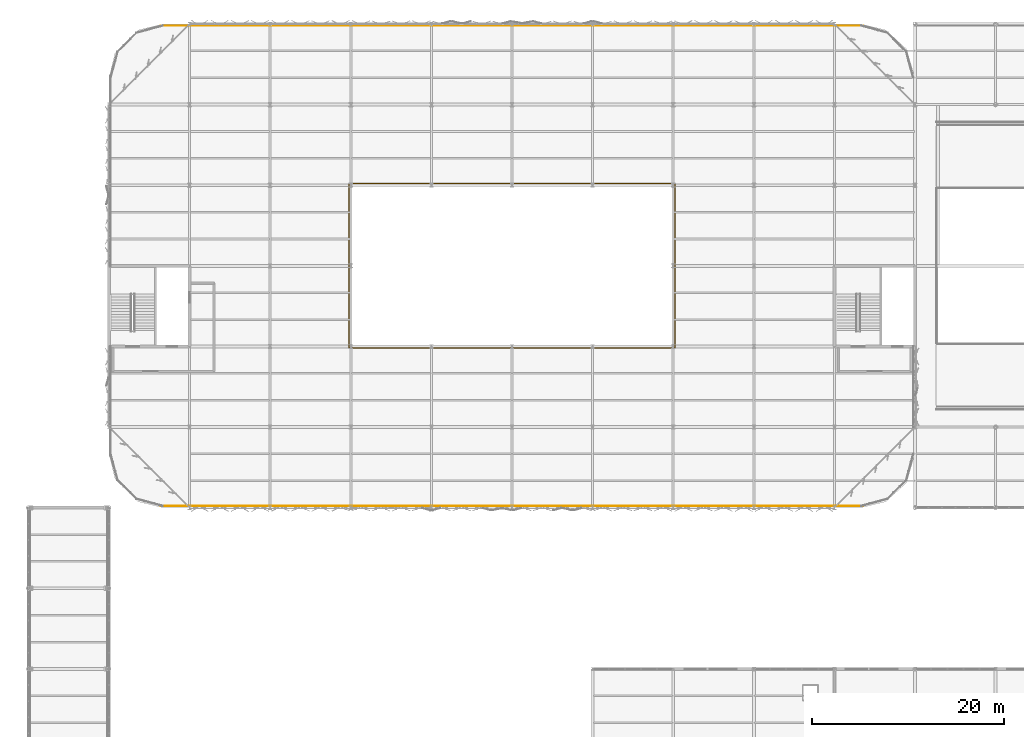
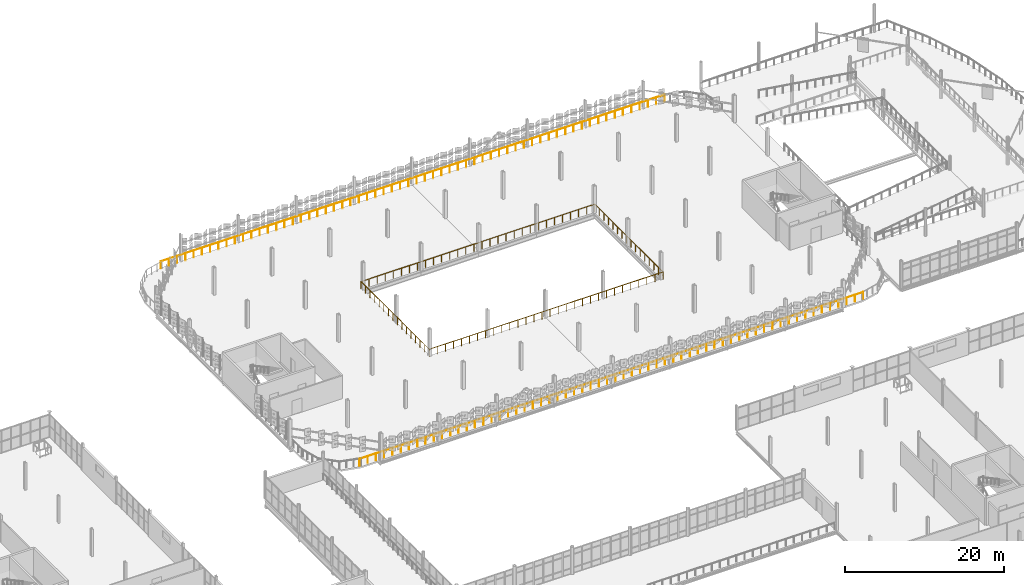
# One storey, part 159 of 163: 3 railings.
"""IFC4 building model written with IfcOpenShell, lengths in metres."""

from ifc_helpers import new_model, si_unit, direction, frame, origin, origin_2d, place, context, subcontext, project, spatial, circle, extrude, material, type_object, element, save


model = new_model("IFC4")

# Units and contexts
model_context = context("Model", 3, precision=1e-05, world=origin(), true_north=direction((0.0, 1.0)))
body_context = subcontext(model_context, "Body", "Model", "MODEL_VIEW")
ifc_project = project(units=[si_unit("LENGTHUNIT", "METRE"), si_unit("AREAUNIT", "SQUARE_METRE"), si_unit("VOLUMEUNIT", "CUBIC_METRE"), si_unit("PLANEANGLEUNIT", "RADIAN"), si_unit("MASSUNIT", "GRAM", prefix="KILO")], contexts=[model_context])

# Site, building, storey
site_placement = place(None, origin())
site = spatial("IfcSite", under=ifc_project, at=site_placement, CompositionType="ELEMENT")
building_placement = place(site_placement, origin())
building = spatial("IfcBuilding", under=site, at=building_placement, Name="Qalvenar Corner Mobility Hub", CompositionType="ELEMENT")
storey_placement = place(building_placement, frame((0.0, 0.0, 4.800048828125)))
storey = spatial("IfcBuildingStorey", under=building, at=storey_placement, Name="L01", CompositionType="ELEMENT", Elevation=4.800048828125)

# Railings
ifc_material = material(Name="Galvanised Steel Deck Edge Barrier", Category="steel")
railing_type = type_object("IfcRailingType", Name="RL-GUARD-115", PredefinedType="GUARDRAIL", material=ifc_material)
railing_1_placement = place(storey_placement, frame((64.199951171875, 67.3798828125, 0.0)))
element("IfcRailing", 1, at=railing_1_placement, inside=storey, type_object=railing_type, Name="Parking Deck South Barrier L01", PredefinedType="GUARDRAIL", context=body_context, shape_type="SweptSolid", body=[
    extrude(circle(Radius=0.02392578125, at=origin_2d()), frame((0.0, 0.0, 1.1259765625), z_axis=(1.0, 0.0, 0.0), x_axis=(0.0, 1.0, 0.0)), (0.0, 0.0, 1.0), 73.199951171875),
    extrude(circle(Radius=0.02099609375, at=origin_2d()), origin(), (0.0, 0.0, 1.0), 1.101806640625),
    extrude(circle(Radius=0.02099609375, at=origin_2d()), frame((1.199951171875, 0.0, 0.0)), (0.0, 0.0, 1.0), 1.101806640625),
    extrude(circle(Radius=0.02099609375, at=origin_2d()), frame((2.39990234375, 0.0, 0.0)), (0.0, 0.0, 1.0), 1.101806640625),
    extrude(circle(Radius=0.02099609375, at=origin_2d()), frame((3.60009765625, 0.0, 0.0)), (0.0, 0.0, 1.0), 1.101806640625),
    extrude(circle(Radius=0.02099609375, at=origin_2d()), frame((4.800048828125, 0.0, 0.0)), (0.0, 0.0, 1.0), 1.101806640625),
    extrude(circle(Radius=0.02099609375, at=origin_2d()), frame((6.0, 0.0, 0.0)), (0.0, 0.0, 1.0), 1.101806640625),
    extrude(circle(Radius=0.02099609375, at=origin_2d()), frame((7.199951171875, 0.0, 0.0)), (0.0, 0.0, 1.0), 1.101806640625),
    extrude(circle(Radius=0.02099609375, at=origin_2d()), frame((8.39990234375, 0.0, 0.0)), (0.0, 0.0, 1.0), 1.101806640625),
    extrude(circle(Radius=0.02099609375, at=origin_2d()), frame((9.60009765625, 0.0, 0.0)), (0.0, 0.0, 1.0), 1.101806640625),
    extrude(circle(Radius=0.02099609375, at=origin_2d()), frame((10.800048828125, 0.0, 0.0)), (0.0, 0.0, 1.0), 1.101806640625),
    extrude(circle(Radius=0.02099609375, at=origin_2d()), frame((12.0, 0.0, 0.0)), (0.0, 0.0, 1.0), 1.101806640625),
    extrude(circle(Radius=0.02099609375, at=origin_2d()), frame((13.199951171875, 0.0, 0.0)), (0.0, 0.0, 1.0), 1.101806640625),
    extrude(circle(Radius=0.02099609375, at=origin_2d()), frame((14.39990234375, 0.0, 0.0)), (0.0, 0.0, 1.0), 1.101806640625),
    extrude(circle(Radius=0.02099609375, at=origin_2d()), frame((15.60009765625, 0.0, 0.0)), (0.0, 0.0, 1.0), 1.101806640625),
    extrude(circle(Radius=0.02099609375, at=origin_2d()), frame((16.800048828125, 0.0, 0.0)), (0.0, 0.0, 1.0), 1.101806640625),
    extrude(circle(Radius=0.02099609375, at=origin_2d()), frame((18.0, 0.0, 0.0)), (0.0, 0.0, 1.0), 1.101806640625),
    extrude(circle(Radius=0.02099609375, at=origin_2d()), frame((19.199951171875, 0.0, 0.0)), (0.0, 0.0, 1.0), 1.101806640625),
    extrude(circle(Radius=0.02099609375, at=origin_2d()), frame((20.39990234375, 0.0, 0.0)), (0.0, 0.0, 1.0), 1.101806640625),
    extrude(circle(Radius=0.02099609375, at=origin_2d()), frame((21.60009765625, 0.0, 0.0)), (0.0, 0.0, 1.0), 1.101806640625),
    extrude(circle(Radius=0.02099609375, at=origin_2d()), frame((22.800048828125, 0.0, 0.0)), (0.0, 0.0, 1.0), 1.101806640625),
    extrude(circle(Radius=0.02099609375, at=origin_2d()), frame((24.0, 0.0, 0.0)), (0.0, 0.0, 1.0), 1.101806640625),
    extrude(circle(Radius=0.02099609375, at=origin_2d()), frame((25.199951171875, 0.0, 0.0)), (0.0, 0.0, 1.0), 1.101806640625),
    extrude(circle(Radius=0.02099609375, at=origin_2d()), frame((26.39990234375, 0.0, 0.0)), (0.0, 0.0, 1.0), 1.101806640625),
    extrude(circle(Radius=0.02099609375, at=origin_2d()), frame((27.60009765625, 0.0, 0.0)), (0.0, 0.0, 1.0), 1.101806640625),
    extrude(circle(Radius=0.02099609375, at=origin_2d()), frame((28.800048828125, 0.0, 0.0)), (0.0, 0.0, 1.0), 1.101806640625),
    extrude(circle(Radius=0.02099609375, at=origin_2d()), frame((30.0, 0.0, 0.0)), (0.0, 0.0, 1.0), 1.101806640625),
    extrude(circle(Radius=0.02099609375, at=origin_2d()), frame((31.199951171875, 0.0, 0.0)), (0.0, 0.0, 1.0), 1.101806640625),
    extrude(circle(Radius=0.02099609375, at=origin_2d()), frame((32.39990234375, 0.0, 0.0)), (0.0, 0.0, 1.0), 1.101806640625),
    extrude(circle(Radius=0.02099609375, at=origin_2d()), frame((33.60009765625, 0.0, 0.0)), (0.0, 0.0, 1.0), 1.101806640625),
    extrude(circle(Radius=0.02099609375, at=origin_2d()), frame((34.800048828125, 0.0, 0.0)), (0.0, 0.0, 1.0), 1.101806640625),
    extrude(circle(Radius=0.02099609375, at=origin_2d()), frame((36.0, 0.0, 0.0)), (0.0, 0.0, 1.0), 1.101806640625),
    extrude(circle(Radius=0.02099609375, at=origin_2d()), frame((37.199951171875, 0.0, 0.0)), (0.0, 0.0, 1.0), 1.101806640625),
    extrude(circle(Radius=0.02099609375, at=origin_2d()), frame((38.39990234375, 0.0, 0.0)), (0.0, 0.0, 1.0), 1.101806640625),
    extrude(circle(Radius=0.02099609375, at=origin_2d()), frame((39.599853515625, 0.0, 0.0)), (0.0, 0.0, 1.0), 1.101806640625),
    extrude(circle(Radius=0.02099609375, at=origin_2d()), frame((40.800048828125, 0.0, 0.0)), (0.0, 0.0, 1.0), 1.101806640625),
    extrude(circle(Radius=0.02099609375, at=origin_2d()), frame((42.0, 0.0, 0.0)), (0.0, 0.0, 1.0), 1.101806640625),
    extrude(circle(Radius=0.02099609375, at=origin_2d()), frame((43.199951171875, 0.0, 0.0)), (0.0, 0.0, 1.0), 1.101806640625),
    extrude(circle(Radius=0.02099609375, at=origin_2d()), frame((44.39990234375, 0.0, 0.0)), (0.0, 0.0, 1.0), 1.101806640625),
    extrude(circle(Radius=0.02099609375, at=origin_2d()), frame((45.599853515625, 0.0, 0.0)), (0.0, 0.0, 1.0), 1.101806640625),
    extrude(circle(Radius=0.02099609375, at=origin_2d()), frame((46.800048828125, 0.0, 0.0)), (0.0, 0.0, 1.0), 1.101806640625),
    extrude(circle(Radius=0.02099609375, at=origin_2d()), frame((48.0, 0.0, 0.0)), (0.0, 0.0, 1.0), 1.101806640625),
    extrude(circle(Radius=0.02099609375, at=origin_2d()), frame((49.199951171875, 0.0, 0.0)), (0.0, 0.0, 1.0), 1.101806640625),
    extrude(circle(Radius=0.02099609375, at=origin_2d()), frame((50.39990234375, 0.0, 0.0)), (0.0, 0.0, 1.0), 1.101806640625),
    extrude(circle(Radius=0.02099609375, at=origin_2d()), frame((51.599853515625, 0.0, 0.0)), (0.0, 0.0, 1.0), 1.101806640625),
    extrude(circle(Radius=0.02099609375, at=origin_2d()), frame((52.800048828125, 0.0, 0.0)), (0.0, 0.0, 1.0), 1.101806640625),
    extrude(circle(Radius=0.02099609375, at=origin_2d()), frame((54.0, 0.0, 0.0)), (0.0, 0.0, 1.0), 1.101806640625),
    extrude(circle(Radius=0.02099609375, at=origin_2d()), frame((55.199951171875, 0.0, 0.0)), (0.0, 0.0, 1.0), 1.101806640625),
    extrude(circle(Radius=0.02099609375, at=origin_2d()), frame((56.39990234375, 0.0, 0.0)), (0.0, 0.0, 1.0), 1.101806640625),
    extrude(circle(Radius=0.02099609375, at=origin_2d()), frame((57.599853515625, 0.0, 0.0)), (0.0, 0.0, 1.0), 1.101806640625),
    extrude(circle(Radius=0.02099609375, at=origin_2d()), frame((58.800048828125, 0.0, 0.0)), (0.0, 0.0, 1.0), 1.101806640625),
    extrude(circle(Radius=0.02099609375, at=origin_2d()), frame((60.0, 0.0, 0.0)), (0.0, 0.0, 1.0), 1.101806640625),
    extrude(circle(Radius=0.02099609375, at=origin_2d()), frame((61.199951171875, 0.0, 0.0)), (0.0, 0.0, 1.0), 1.101806640625),
    extrude(circle(Radius=0.02099609375, at=origin_2d()), frame((62.39990234375, 0.0, 0.0)), (0.0, 0.0, 1.0), 1.101806640625),
    extrude(circle(Radius=0.02099609375, at=origin_2d()), frame((63.599853515625, 0.0, 0.0)), (0.0, 0.0, 1.0), 1.101806640625),
    extrude(circle(Radius=0.02099609375, at=origin_2d()), frame((64.800048828125, 0.0, 0.0)), (0.0, 0.0, 1.0), 1.101806640625),
    extrude(circle(Radius=0.02099609375, at=origin_2d()), frame((66.0, 0.0, 0.0)), (0.0, 0.0, 1.0), 1.101806640625),
    extrude(circle(Radius=0.02099609375, at=origin_2d()), frame((67.199951171875, 0.0, 0.0)), (0.0, 0.0, 1.0), 1.101806640625),
    extrude(circle(Radius=0.02099609375, at=origin_2d()), frame((68.39990234375, 0.0, 0.0)), (0.0, 0.0, 1.0), 1.101806640625),
    extrude(circle(Radius=0.02099609375, at=origin_2d()), frame((69.599853515625, 0.0, 0.0)), (0.0, 0.0, 1.0), 1.101806640625),
    extrude(circle(Radius=0.02099609375, at=origin_2d()), frame((70.800048828125, 0.0, 0.0)), (0.0, 0.0, 1.0), 1.101806640625),
    extrude(circle(Radius=0.02099609375, at=origin_2d()), frame((72.0, 0.0, 0.0)), (0.0, 0.0, 1.0), 1.101806640625),
    extrude(circle(Radius=0.02099609375, at=origin_2d()), frame((73.199951171875, 0.0, 0.0)), (0.0, 0.0, 1.0), 1.101806640625),
])
railing_2_placement = place(storey_placement, frame((137.39990234375, 117.419921875, 0.0)))
element("IfcRailing", 2, at=railing_2_placement, inside=storey, type_object=railing_type, Name="Parking Deck North Barrier L01", PredefinedType="GUARDRAIL", context=body_context, shape_type="SweptSolid", body=[
    extrude(circle(Radius=0.02392578125, at=origin_2d()), frame((0.0, 0.0, 1.1259765625), z_axis=(-1.0, 0.0, 0.0), x_axis=(0.0, -1.0, 0.0)), (0.0, 0.0, 1.0), 73.199951171875),
    extrude(circle(Radius=0.02099609375, at=origin_2d()), origin(), (0.0, 0.0, 1.0), 1.101806640625),
    extrude(circle(Radius=0.02099609375, at=origin_2d()), frame((-1.199951171875, 0.0, 0.0)), (0.0, 0.0, 1.0), 1.101806640625),
    extrude(circle(Radius=0.02099609375, at=origin_2d()), frame((-2.39990234375, 0.0, 0.0)), (0.0, 0.0, 1.0), 1.101806640625),
    extrude(circle(Radius=0.02099609375, at=origin_2d()), frame((-3.60009765625, 0.0, 0.0)), (0.0, 0.0, 1.0), 1.101806640625),
    extrude(circle(Radius=0.02099609375, at=origin_2d()), frame((-4.800048828125, 0.0, 0.0)), (0.0, 0.0, 1.0), 1.101806640625),
    extrude(circle(Radius=0.02099609375, at=origin_2d()), frame((-6.0, 0.0, 0.0)), (0.0, 0.0, 1.0), 1.101806640625),
    extrude(circle(Radius=0.02099609375, at=origin_2d()), frame((-7.199951171875, 0.0, 0.0)), (0.0, 0.0, 1.0), 1.101806640625),
    extrude(circle(Radius=0.02099609375, at=origin_2d()), frame((-8.39990234375, 0.0, 0.0)), (0.0, 0.0, 1.0), 1.101806640625),
    extrude(circle(Radius=0.02099609375, at=origin_2d()), frame((-9.60009765625, 0.0, 0.0)), (0.0, 0.0, 1.0), 1.101806640625),
    extrude(circle(Radius=0.02099609375, at=origin_2d()), frame((-10.800048828125, 0.0, 0.0)), (0.0, 0.0, 1.0), 1.101806640625),
    extrude(circle(Radius=0.02099609375, at=origin_2d()), frame((-12.0, 0.0, 0.0)), (0.0, 0.0, 1.0), 1.101806640625),
    extrude(circle(Radius=0.02099609375, at=origin_2d()), frame((-13.199951171875, 0.0, 0.0)), (0.0, 0.0, 1.0), 1.101806640625),
    extrude(circle(Radius=0.02099609375, at=origin_2d()), frame((-14.39990234375, 0.0, 0.0)), (0.0, 0.0, 1.0), 1.101806640625),
    extrude(circle(Radius=0.02099609375, at=origin_2d()), frame((-15.60009765625, 0.0, 0.0)), (0.0, 0.0, 1.0), 1.101806640625),
    extrude(circle(Radius=0.02099609375, at=origin_2d()), frame((-16.800048828125, 0.0, 0.0)), (0.0, 0.0, 1.0), 1.101806640625),
    extrude(circle(Radius=0.02099609375, at=origin_2d()), frame((-18.0, 0.0, 0.0)), (0.0, 0.0, 1.0), 1.101806640625),
    extrude(circle(Radius=0.02099609375, at=origin_2d()), frame((-19.199951171875, 0.0, 0.0)), (0.0, 0.0, 1.0), 1.101806640625),
    extrude(circle(Radius=0.02099609375, at=origin_2d()), frame((-20.39990234375, 0.0, 0.0)), (0.0, 0.0, 1.0), 1.101806640625),
    extrude(circle(Radius=0.02099609375, at=origin_2d()), frame((-21.60009765625, 0.0, 0.0)), (0.0, 0.0, 1.0), 1.101806640625),
    extrude(circle(Radius=0.02099609375, at=origin_2d()), frame((-22.800048828125, 0.0, 0.0)), (0.0, 0.0, 1.0), 1.101806640625),
    extrude(circle(Radius=0.02099609375, at=origin_2d()), frame((-24.0, 0.0, 0.0)), (0.0, 0.0, 1.0), 1.101806640625),
    extrude(circle(Radius=0.02099609375, at=origin_2d()), frame((-25.199951171875, 0.0, 0.0)), (0.0, 0.0, 1.0), 1.101806640625),
    extrude(circle(Radius=0.02099609375, at=origin_2d()), frame((-26.39990234375, 0.0, 0.0)), (0.0, 0.0, 1.0), 1.101806640625),
    extrude(circle(Radius=0.02099609375, at=origin_2d()), frame((-27.60009765625, 0.0, 0.0)), (0.0, 0.0, 1.0), 1.101806640625),
    extrude(circle(Radius=0.02099609375, at=origin_2d()), frame((-28.800048828125, 0.0, 0.0)), (0.0, 0.0, 1.0), 1.101806640625),
    extrude(circle(Radius=0.02099609375, at=origin_2d()), frame((-30.0, 0.0, 0.0)), (0.0, 0.0, 1.0), 1.101806640625),
    extrude(circle(Radius=0.02099609375, at=origin_2d()), frame((-31.199951171875, 0.0, 0.0)), (0.0, 0.0, 1.0), 1.101806640625),
    extrude(circle(Radius=0.02099609375, at=origin_2d()), frame((-32.39990234375, 0.0, 0.0)), (0.0, 0.0, 1.0), 1.101806640625),
    extrude(circle(Radius=0.02099609375, at=origin_2d()), frame((-33.60009765625, 0.0, 0.0)), (0.0, 0.0, 1.0), 1.101806640625),
    extrude(circle(Radius=0.02099609375, at=origin_2d()), frame((-34.800048828125, 0.0, 0.0)), (0.0, 0.0, 1.0), 1.101806640625),
    extrude(circle(Radius=0.02099609375, at=origin_2d()), frame((-36.0, 0.0, 0.0)), (0.0, 0.0, 1.0), 1.101806640625),
    extrude(circle(Radius=0.02099609375, at=origin_2d()), frame((-37.199951171875, 0.0, 0.0)), (0.0, 0.0, 1.0), 1.101806640625),
    extrude(circle(Radius=0.02099609375, at=origin_2d()), frame((-38.39990234375, 0.0, 0.0)), (0.0, 0.0, 1.0), 1.101806640625),
    extrude(circle(Radius=0.02099609375, at=origin_2d()), frame((-39.599853515625, 0.0, 0.0)), (0.0, 0.0, 1.0), 1.101806640625),
    extrude(circle(Radius=0.02099609375, at=origin_2d()), frame((-40.800048828125, 0.0, 0.0)), (0.0, 0.0, 1.0), 1.101806640625),
    extrude(circle(Radius=0.02099609375, at=origin_2d()), frame((-42.0, 0.0, 0.0)), (0.0, 0.0, 1.0), 1.101806640625),
    extrude(circle(Radius=0.02099609375, at=origin_2d()), frame((-43.199951171875, 0.0, 0.0)), (0.0, 0.0, 1.0), 1.101806640625),
    extrude(circle(Radius=0.02099609375, at=origin_2d()), frame((-44.39990234375, 0.0, 0.0)), (0.0, 0.0, 1.0), 1.101806640625),
    extrude(circle(Radius=0.02099609375, at=origin_2d()), frame((-45.599853515625, 0.0, 0.0)), (0.0, 0.0, 1.0), 1.101806640625),
    extrude(circle(Radius=0.02099609375, at=origin_2d()), frame((-46.800048828125, 0.0, 0.0)), (0.0, 0.0, 1.0), 1.101806640625),
    extrude(circle(Radius=0.02099609375, at=origin_2d()), frame((-48.0, 0.0, 0.0)), (0.0, 0.0, 1.0), 1.101806640625),
    extrude(circle(Radius=0.02099609375, at=origin_2d()), frame((-49.199951171875, 0.0, 0.0)), (0.0, 0.0, 1.0), 1.101806640625),
    extrude(circle(Radius=0.02099609375, at=origin_2d()), frame((-50.39990234375, 0.0, 0.0)), (0.0, 0.0, 1.0), 1.101806640625),
    extrude(circle(Radius=0.02099609375, at=origin_2d()), frame((-51.599853515625, 0.0, 0.0)), (0.0, 0.0, 1.0), 1.101806640625),
    extrude(circle(Radius=0.02099609375, at=origin_2d()), frame((-52.800048828125, 0.0, 0.0)), (0.0, 0.0, 1.0), 1.101806640625),
    extrude(circle(Radius=0.02099609375, at=origin_2d()), frame((-54.0, 0.0, 0.0)), (0.0, 0.0, 1.0), 1.101806640625),
    extrude(circle(Radius=0.02099609375, at=origin_2d()), frame((-55.199951171875, 0.0, 0.0)), (0.0, 0.0, 1.0), 1.101806640625),
    extrude(circle(Radius=0.02099609375, at=origin_2d()), frame((-56.39990234375, 0.0, 0.0)), (0.0, 0.0, 1.0), 1.101806640625),
    extrude(circle(Radius=0.02099609375, at=origin_2d()), frame((-57.599853515625, 0.0, 0.0)), (0.0, 0.0, 1.0), 1.101806640625),
    extrude(circle(Radius=0.02099609375, at=origin_2d()), frame((-58.800048828125, 0.0, 0.0)), (0.0, 0.0, 1.0), 1.101806640625),
    extrude(circle(Radius=0.02099609375, at=origin_2d()), frame((-60.0, 0.0, 0.0)), (0.0, 0.0, 1.0), 1.101806640625),
    extrude(circle(Radius=0.02099609375, at=origin_2d()), frame((-61.199951171875, 0.0, 0.0)), (0.0, 0.0, 1.0), 1.101806640625),
    extrude(circle(Radius=0.02099609375, at=origin_2d()), frame((-62.39990234375, 0.0, 0.0)), (0.0, 0.0, 1.0), 1.101806640625),
    extrude(circle(Radius=0.02099609375, at=origin_2d()), frame((-63.599853515625, 0.0, 0.0)), (0.0, 0.0, 1.0), 1.101806640625),
    extrude(circle(Radius=0.02099609375, at=origin_2d()), frame((-64.800048828125, 0.0, 0.0)), (0.0, 0.0, 1.0), 1.101806640625),
    extrude(circle(Radius=0.02099609375, at=origin_2d()), frame((-66.0, 0.0, 0.0)), (0.0, 0.0, 1.0), 1.101806640625),
    extrude(circle(Radius=0.02099609375, at=origin_2d()), frame((-67.199951171875, 0.0, 0.0)), (0.0, 0.0, 1.0), 1.101806640625),
    extrude(circle(Radius=0.02099609375, at=origin_2d()), frame((-68.39990234375, 0.0, 0.0)), (0.0, 0.0, 1.0), 1.101806640625),
    extrude(circle(Radius=0.02099609375, at=origin_2d()), frame((-69.599853515625, 0.0, 0.0)), (0.0, 0.0, 1.0), 1.101806640625),
    extrude(circle(Radius=0.02099609375, at=origin_2d()), frame((-70.800048828125, 0.0, 0.0)), (0.0, 0.0, 1.0), 1.101806640625),
    extrude(circle(Radius=0.02099609375, at=origin_2d()), frame((-72.0, 0.0, 0.0)), (0.0, 0.0, 1.0), 1.101806640625),
    extrude(circle(Radius=0.02099609375, at=origin_2d()), frame((-73.199951171875, 0.0, 0.0)), (0.0, 0.0, 1.0), 1.101806640625),
])
railing_3_placement = place(storey_placement, frame((83.820068359375, 83.820068359375, 0.0)))
element("IfcRailing", 3, at=railing_3_placement, inside=storey, type_object=railing_type, Name="Lightwell Perimeter Guardrail L01", PredefinedType="GUARDRAIL", context=body_context, shape_type="SweptSolid", body=[
    extrude(circle(Radius=0.02392578125, at=origin_2d()), frame((0.0, 0.0, 1.1259765625), z_axis=(1.0, 0.0, 0.0), x_axis=(0.0, 1.0, 0.0)), (0.0, 0.0, 1.0), 33.9599609375),
    extrude(circle(Radius=0.02392578125, at=origin_2d()), frame((33.9599609375, 0.0, 1.1259765625), z_axis=(0.0, 1.0, 0.0), x_axis=(-1.0, 0.0, 0.0)), (0.0, 0.0, 1.0), 17.159912109375),
    extrude(circle(Radius=0.02392578125, at=origin_2d()), frame((33.9599609375, 17.159912109375, 1.1259765625), z_axis=(-1.0, 0.0, 0.0), x_axis=(0.0, -1.0, 0.0)), (0.0, 0.0, 1.0), 33.9599609375),
    extrude(circle(Radius=0.02392578125, at=origin_2d()), frame((0.0, 17.159912109375, 1.1259765625), z_axis=(0.0, -1.0, 0.0), x_axis=(1.0, 0.0, 0.0)), (0.0, 0.0, 1.0), 17.159912109375),
    extrude(circle(Radius=0.02099609375, at=origin_2d()), origin(), (0.0, 0.0, 1.0), 1.101806640625),
    extrude(circle(Radius=0.02099609375, at=origin_2d()), frame((1.171142578125, 0.0, 0.0)), (0.0, 0.0, 1.0), 1.101806640625),
    extrude(circle(Radius=0.02099609375, at=origin_2d()), frame((2.342041015625, 0.0, 0.0)), (0.0, 0.0, 1.0), 1.101806640625),
    extrude(circle(Radius=0.02099609375, at=origin_2d()), frame((3.51318359375, 0.0, 0.0)), (0.0, 0.0, 1.0), 1.101806640625),
    extrude(circle(Radius=0.02099609375, at=origin_2d()), frame((4.68408203125, 0.0, 0.0)), (0.0, 0.0, 1.0), 1.101806640625),
    extrude(circle(Radius=0.02099609375, at=origin_2d()), frame((5.855224609375, 0.0, 0.0)), (0.0, 0.0, 1.0), 1.101806640625),
    extrude(circle(Radius=0.02099609375, at=origin_2d()), frame((7.026123046875, 0.0, 0.0)), (0.0, 0.0, 1.0), 1.101806640625),
    extrude(circle(Radius=0.02099609375, at=origin_2d()), frame((8.197265625, 0.0, 0.0)), (0.0, 0.0, 1.0), 1.101806640625),
    extrude(circle(Radius=0.02099609375, at=origin_2d()), frame((9.3681640625, 0.0, 0.0)), (0.0, 0.0, 1.0), 1.101806640625),
    extrude(circle(Radius=0.02099609375, at=origin_2d()), frame((10.539306640625, 0.0, 0.0)), (0.0, 0.0, 1.0), 1.101806640625),
    extrude(circle(Radius=0.02099609375, at=origin_2d()), frame((11.71044921875, 0.0, 0.0)), (0.0, 0.0, 1.0), 1.101806640625),
    extrude(circle(Radius=0.02099609375, at=origin_2d()), frame((12.88134765625, 0.0, 0.0)), (0.0, 0.0, 1.0), 1.101806640625),
    extrude(circle(Radius=0.02099609375, at=origin_2d()), frame((14.052490234375, 0.0, 0.0)), (0.0, 0.0, 1.0), 1.101806640625),
    extrude(circle(Radius=0.02099609375, at=origin_2d()), frame((15.223388671875, 0.0, 0.0)), (0.0, 0.0, 1.0), 1.101806640625),
    extrude(circle(Radius=0.02099609375, at=origin_2d()), frame((16.39453125, 0.0, 0.0)), (0.0, 0.0, 1.0), 1.101806640625),
    extrude(circle(Radius=0.02099609375, at=origin_2d()), frame((17.5654296875, 0.0, 0.0)), (0.0, 0.0, 1.0), 1.101806640625),
    extrude(circle(Radius=0.02099609375, at=origin_2d()), frame((18.736572265625, 0.0, 0.0)), (0.0, 0.0, 1.0), 1.101806640625),
    extrude(circle(Radius=0.02099609375, at=origin_2d()), frame((19.907470703125, 0.0, 0.0)), (0.0, 0.0, 1.0), 1.101806640625),
    extrude(circle(Radius=0.02099609375, at=origin_2d()), frame((21.07861328125, 0.0, 0.0)), (0.0, 0.0, 1.0), 1.101806640625),
    extrude(circle(Radius=0.02099609375, at=origin_2d()), frame((22.24951171875, 0.0, 0.0)), (0.0, 0.0, 1.0), 1.101806640625),
    extrude(circle(Radius=0.02099609375, at=origin_2d()), frame((23.420654296875, 0.0, 0.0)), (0.0, 0.0, 1.0), 1.101806640625),
    extrude(circle(Radius=0.02099609375, at=origin_2d()), frame((24.591796875, 0.0, 0.0)), (0.0, 0.0, 1.0), 1.101806640625),
    extrude(circle(Radius=0.02099609375, at=origin_2d()), frame((25.7626953125, 0.0, 0.0)), (0.0, 0.0, 1.0), 1.101806640625),
    extrude(circle(Radius=0.02099609375, at=origin_2d()), frame((26.933837890625, 0.0, 0.0)), (0.0, 0.0, 1.0), 1.101806640625),
    extrude(circle(Radius=0.02099609375, at=origin_2d()), frame((28.104736328125, 0.0, 0.0)), (0.0, 0.0, 1.0), 1.101806640625),
    extrude(circle(Radius=0.02099609375, at=origin_2d()), frame((29.27587890625, 0.0, 0.0)), (0.0, 0.0, 1.0), 1.101806640625),
    extrude(circle(Radius=0.02099609375, at=origin_2d()), frame((30.44677734375, 0.0, 0.0)), (0.0, 0.0, 1.0), 1.101806640625),
    extrude(circle(Radius=0.02099609375, at=origin_2d()), frame((31.617919921875, 0.0, 0.0)), (0.0, 0.0, 1.0), 1.101806640625),
    extrude(circle(Radius=0.02099609375, at=origin_2d()), frame((32.788818359375, 0.0, 0.0)), (0.0, 0.0, 1.0), 1.101806640625),
    extrude(circle(Radius=0.02099609375, at=origin_2d()), frame((33.9599609375, 0.0, 0.0)), (0.0, 0.0, 1.0), 1.101806640625),
    extrude(circle(Radius=0.02099609375, at=origin_2d()), frame((33.9599609375, 1.14404296875, 0.0)), (0.0, 0.0, 1.0), 1.101806640625),
    extrude(circle(Radius=0.02099609375, at=origin_2d()), frame((33.9599609375, 2.2880859375, 0.0)), (0.0, 0.0, 1.0), 1.101806640625),
    extrude(circle(Radius=0.02099609375, at=origin_2d()), frame((33.9599609375, 3.431884765625, 0.0)), (0.0, 0.0, 1.0), 1.101806640625),
    extrude(circle(Radius=0.02099609375, at=origin_2d()), frame((33.9599609375, 4.575927734375, 0.0)), (0.0, 0.0, 1.0), 1.101806640625),
    extrude(circle(Radius=0.02099609375, at=origin_2d()), frame((33.9599609375, 5.719970703125, 0.0)), (0.0, 0.0, 1.0), 1.101806640625),
    extrude(circle(Radius=0.02099609375, at=origin_2d()), frame((33.9599609375, 6.864013671875, 0.0)), (0.0, 0.0, 1.0), 1.101806640625),
    extrude(circle(Radius=0.02099609375, at=origin_2d()), frame((33.9599609375, 8.008056640625, 0.0)), (0.0, 0.0, 1.0), 1.101806640625),
    extrude(circle(Radius=0.02099609375, at=origin_2d()), frame((33.9599609375, 9.15185546875, 0.0)), (0.0, 0.0, 1.0), 1.101806640625),
    extrude(circle(Radius=0.02099609375, at=origin_2d()), frame((33.9599609375, 10.2958984375, 0.0)), (0.0, 0.0, 1.0), 1.101806640625),
    extrude(circle(Radius=0.02099609375, at=origin_2d()), frame((33.9599609375, 11.43994140625, 0.0)), (0.0, 0.0, 1.0), 1.101806640625),
    extrude(circle(Radius=0.02099609375, at=origin_2d()), frame((33.9599609375, 12.583984375, 0.0)), (0.0, 0.0, 1.0), 1.101806640625),
    extrude(circle(Radius=0.02099609375, at=origin_2d()), frame((33.9599609375, 13.72802734375, 0.0)), (0.0, 0.0, 1.0), 1.101806640625),
    extrude(circle(Radius=0.02099609375, at=origin_2d()), frame((33.9599609375, 14.871826171875, 0.0)), (0.0, 0.0, 1.0), 1.101806640625),
    extrude(circle(Radius=0.02099609375, at=origin_2d()), frame((33.9599609375, 16.015869140625, 0.0)), (0.0, 0.0, 1.0), 1.101806640625),
    extrude(circle(Radius=0.02099609375, at=origin_2d()), frame((33.9599609375, 17.159912109375, 0.0)), (0.0, 0.0, 1.0), 1.101806640625),
    extrude(circle(Radius=0.02099609375, at=origin_2d()), frame((32.788818359375, 17.159912109375, 0.0)), (0.0, 0.0, 1.0), 1.101806640625),
    extrude(circle(Radius=0.02099609375, at=origin_2d()), frame((31.617919921875, 17.159912109375, 0.0)), (0.0, 0.0, 1.0), 1.101806640625),
    extrude(circle(Radius=0.02099609375, at=origin_2d()), frame((30.44677734375, 17.159912109375, 0.0)), (0.0, 0.0, 1.0), 1.101806640625),
    extrude(circle(Radius=0.02099609375, at=origin_2d()), frame((29.27587890625, 17.159912109375, 0.0)), (0.0, 0.0, 1.0), 1.101806640625),
    extrude(circle(Radius=0.02099609375, at=origin_2d()), frame((28.104736328125, 17.159912109375, 0.0)), (0.0, 0.0, 1.0), 1.101806640625),
    extrude(circle(Radius=0.02099609375, at=origin_2d()), frame((26.933837890625, 17.159912109375, 0.0)), (0.0, 0.0, 1.0), 1.101806640625),
    extrude(circle(Radius=0.02099609375, at=origin_2d()), frame((25.7626953125, 17.159912109375, 0.0)), (0.0, 0.0, 1.0), 1.101806640625),
    extrude(circle(Radius=0.02099609375, at=origin_2d()), frame((24.591796875, 17.159912109375, 0.0)), (0.0, 0.0, 1.0), 1.101806640625),
    extrude(circle(Radius=0.02099609375, at=origin_2d()), frame((23.420654296875, 17.159912109375, 0.0)), (0.0, 0.0, 1.0), 1.101806640625),
    extrude(circle(Radius=0.02099609375, at=origin_2d()), frame((22.24951171875, 17.159912109375, 0.0)), (0.0, 0.0, 1.0), 1.101806640625),
    extrude(circle(Radius=0.02099609375, at=origin_2d()), frame((21.07861328125, 17.159912109375, 0.0)), (0.0, 0.0, 1.0), 1.101806640625),
    extrude(circle(Radius=0.02099609375, at=origin_2d()), frame((19.907470703125, 17.159912109375, 0.0)), (0.0, 0.0, 1.0), 1.101806640625),
    extrude(circle(Radius=0.02099609375, at=origin_2d()), frame((18.736572265625, 17.159912109375, 0.0)), (0.0, 0.0, 1.0), 1.101806640625),
    extrude(circle(Radius=0.02099609375, at=origin_2d()), frame((17.5654296875, 17.159912109375, 0.0)), (0.0, 0.0, 1.0), 1.101806640625),
    extrude(circle(Radius=0.02099609375, at=origin_2d()), frame((16.39453125, 17.159912109375, 0.0)), (0.0, 0.0, 1.0), 1.101806640625),
    extrude(circle(Radius=0.02099609375, at=origin_2d()), frame((15.223388671875, 17.159912109375, 0.0)), (0.0, 0.0, 1.0), 1.101806640625),
    extrude(circle(Radius=0.02099609375, at=origin_2d()), frame((14.052490234375, 17.159912109375, 0.0)), (0.0, 0.0, 1.0), 1.101806640625),
    extrude(circle(Radius=0.02099609375, at=origin_2d()), frame((12.88134765625, 17.159912109375, 0.0)), (0.0, 0.0, 1.0), 1.101806640625),
    extrude(circle(Radius=0.02099609375, at=origin_2d()), frame((11.71044921875, 17.159912109375, 0.0)), (0.0, 0.0, 1.0), 1.101806640625),
    extrude(circle(Radius=0.02099609375, at=origin_2d()), frame((10.539306640625, 17.159912109375, 0.0)), (0.0, 0.0, 1.0), 1.101806640625),
    extrude(circle(Radius=0.02099609375, at=origin_2d()), frame((9.3681640625, 17.159912109375, 0.0)), (0.0, 0.0, 1.0), 1.101806640625),
    extrude(circle(Radius=0.02099609375, at=origin_2d()), frame((8.197265625, 17.159912109375, 0.0)), (0.0, 0.0, 1.0), 1.101806640625),
    extrude(circle(Radius=0.02099609375, at=origin_2d()), frame((7.026123046875, 17.159912109375, 0.0)), (0.0, 0.0, 1.0), 1.101806640625),
    extrude(circle(Radius=0.02099609375, at=origin_2d()), frame((5.855224609375, 17.159912109375, 0.0)), (0.0, 0.0, 1.0), 1.101806640625),
    extrude(circle(Radius=0.02099609375, at=origin_2d()), frame((4.68408203125, 17.159912109375, 0.0)), (0.0, 0.0, 1.0), 1.101806640625),
    extrude(circle(Radius=0.02099609375, at=origin_2d()), frame((3.51318359375, 17.159912109375, 0.0)), (0.0, 0.0, 1.0), 1.101806640625),
    extrude(circle(Radius=0.02099609375, at=origin_2d()), frame((2.342041015625, 17.159912109375, 0.0)), (0.0, 0.0, 1.0), 1.101806640625),
    extrude(circle(Radius=0.02099609375, at=origin_2d()), frame((1.171142578125, 17.159912109375, 0.0)), (0.0, 0.0, 1.0), 1.101806640625),
    extrude(circle(Radius=0.02099609375, at=origin_2d()), frame((0.0, 17.159912109375, 0.0)), (0.0, 0.0, 1.0), 1.101806640625),
    extrude(circle(Radius=0.02099609375, at=origin_2d()), frame((0.0, 16.015869140625, 0.0)), (0.0, 0.0, 1.0), 1.101806640625),
    extrude(circle(Radius=0.02099609375, at=origin_2d()), frame((0.0, 14.871826171875, 0.0)), (0.0, 0.0, 1.0), 1.101806640625),
    extrude(circle(Radius=0.02099609375, at=origin_2d()), frame((0.0, 13.72802734375, 0.0)), (0.0, 0.0, 1.0), 1.101806640625),
    extrude(circle(Radius=0.02099609375, at=origin_2d()), frame((0.0, 12.583984375, 0.0)), (0.0, 0.0, 1.0), 1.101806640625),
    extrude(circle(Radius=0.02099609375, at=origin_2d()), frame((0.0, 11.43994140625, 0.0)), (0.0, 0.0, 1.0), 1.101806640625),
    extrude(circle(Radius=0.02099609375, at=origin_2d()), frame((0.0, 10.2958984375, 0.0)), (0.0, 0.0, 1.0), 1.101806640625),
    extrude(circle(Radius=0.02099609375, at=origin_2d()), frame((0.0, 9.15185546875, 0.0)), (0.0, 0.0, 1.0), 1.101806640625),
    extrude(circle(Radius=0.02099609375, at=origin_2d()), frame((0.0, 8.008056640625, 0.0)), (0.0, 0.0, 1.0), 1.101806640625),
    extrude(circle(Radius=0.02099609375, at=origin_2d()), frame((0.0, 6.864013671875, 0.0)), (0.0, 0.0, 1.0), 1.101806640625),
    extrude(circle(Radius=0.02099609375, at=origin_2d()), frame((0.0, 5.719970703125, 0.0)), (0.0, 0.0, 1.0), 1.101806640625),
    extrude(circle(Radius=0.02099609375, at=origin_2d()), frame((0.0, 4.575927734375, 0.0)), (0.0, 0.0, 1.0), 1.101806640625),
    extrude(circle(Radius=0.02099609375, at=origin_2d()), frame((0.0, 3.431884765625, 0.0)), (0.0, 0.0, 1.0), 1.101806640625),
    extrude(circle(Radius=0.02099609375, at=origin_2d()), frame((0.0, 2.2880859375, 0.0)), (0.0, 0.0, 1.0), 1.101806640625),
    extrude(circle(Radius=0.02099609375, at=origin_2d()), frame((0.0, 1.14404296875, 0.0)), (0.0, 0.0, 1.0), 1.101806640625),
])

save(model, "model.ifc")
